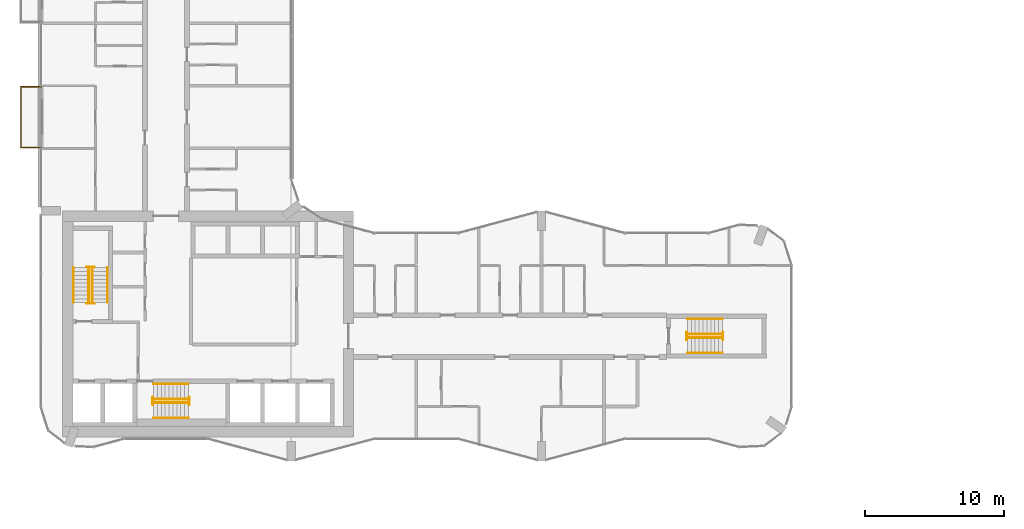
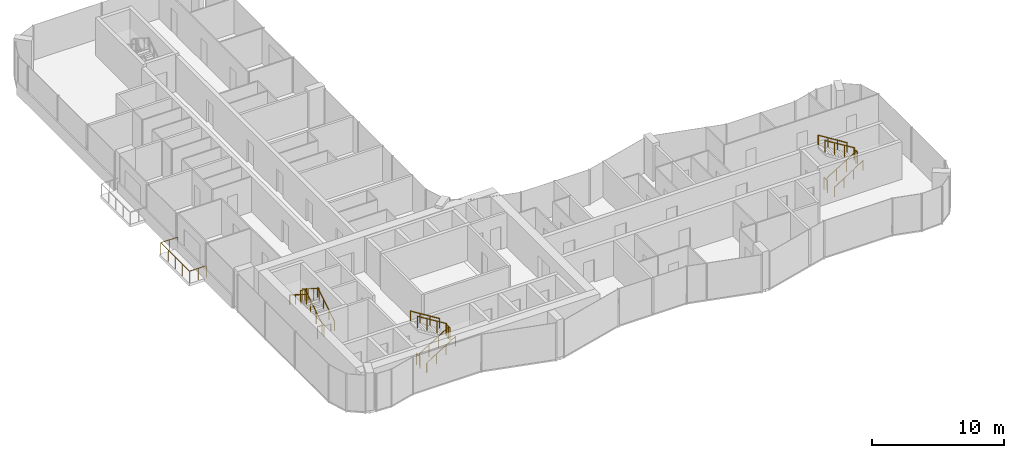
# One storey, part 22 of 24: 19 railings.
"""IFC4 building model written with IfcOpenShell, lengths in metres."""

from ifc_helpers import new_model, si_unit, direction, frame, origin, origin_2d, place, context, subcontext, project, spatial, circle, extrude, material, type_object, element, save


model = new_model("IFC4")

# Units and contexts
model_context = context("Model", 3, precision=1e-05, world=origin(), true_north=direction((0.0, 1.0)))
body_context = subcontext(model_context, "Body", "Model", "MODEL_VIEW")
ifc_project = project(units=[si_unit("LENGTHUNIT", "METRE"), si_unit("AREAUNIT", "SQUARE_METRE"), si_unit("VOLUMEUNIT", "CUBIC_METRE"), si_unit("PLANEANGLEUNIT", "RADIAN"), si_unit("MASSUNIT", "GRAM", prefix="KILO")], contexts=[model_context])

# Site, building, storey
site_placement = place(None, origin())
site = spatial("IfcSite", under=ifc_project, at=site_placement, CompositionType="ELEMENT")
building_placement = place(site_placement, origin())
building = spatial("IfcBuilding", under=site, at=building_placement, Name="Plateau Cross Towers", CompositionType="ELEMENT")
storey_placement = place(building_placement, frame((0.0, 0.0, 44.300048828125)))
storey = spatial("IfcBuildingStorey", under=building, at=storey_placement, Name="L10", CompositionType="ELEMENT", Elevation=44.300048828125)

# Railings
ifc_material_1 = material(Name="Stainless steel and toughened glass", Category="steel")
railing_type_1 = type_object("IfcRailingType", Name="Glass balustrade guard 1100", PredefinedType="GUARDRAIL", material=ifc_material_1)
railing_1_placement = place(storey_placement, frame((0.050048828125, 22.570068359375, 0.0)))
element("IfcRailing", 1, at=railing_1_placement, inside=storey, type_object=railing_type_1, Name="Guard guard1", PredefinedType="GUARDRAIL", context=body_context, shape_type="SweptSolid", body=[
    extrude(circle(Radius=0.02392578125, at=origin_2d()), frame((0.0, 0.0, 1.076171875), z_axis=(-1.0, 0.0, 0.0), x_axis=(0.0, -1.0, 0.0)), (0.0, 0.0, 1.0), 1.47998046875),
    extrude(circle(Radius=0.02392578125, at=origin_2d()), frame((-1.47998046875, 0.0, 1.076171875), z_axis=(0.0, 1.0, 0.0), x_axis=(-1.0, 0.0, 0.0)), (0.0, 0.0, 1.0), 4.35986328125),
    extrude(circle(Radius=0.02392578125, at=origin_2d()), frame((-1.47998046875, 4.35986328125, 1.076171875), z_axis=(1.0, 0.0, 0.0), x_axis=(0.0, 1.0, 0.0)), (0.0, 0.0, 1.0), 1.47998046875),
    extrude(circle(Radius=0.02099609375, at=origin_2d()), origin(), (0.0, 0.0, 1.0), 1.052001953125),
    extrude(circle(Radius=0.02099609375, at=origin_2d()), frame((-0.739990234375, 0.0, 0.0)), (0.0, 0.0, 1.0), 1.052001953125),
    extrude(circle(Radius=0.02099609375, at=origin_2d()), frame((-1.47998046875, 0.0, 0.0)), (0.0, 0.0, 1.0), 1.052001953125),
    extrude(circle(Radius=0.02099609375, at=origin_2d()), frame((-1.47998046875, 1.08984375, 0.0)), (0.0, 0.0, 1.0), 1.052001953125),
    extrude(circle(Radius=0.02099609375, at=origin_2d()), frame((-1.47998046875, 2.179931640625, 0.0)), (0.0, 0.0, 1.0), 1.052001953125),
    extrude(circle(Radius=0.02099609375, at=origin_2d()), frame((-1.47998046875, 3.27001953125, 0.0)), (0.0, 0.0, 1.0), 1.052001953125),
    extrude(circle(Radius=0.02099609375, at=origin_2d()), frame((-1.47998046875, 4.35986328125, 0.0)), (0.0, 0.0, 1.0), 1.052001953125),
    extrude(circle(Radius=0.02099609375, at=origin_2d()), frame((-0.739990234375, 4.35986328125, 0.0)), (0.0, 0.0, 1.0), 1.052001953125),
    extrude(circle(Radius=0.02099609375, at=origin_2d()), frame((0.0, 4.35986328125, 0.0)), (0.0, 0.0, 1.0), 1.052001953125),
])
railing_type_2 = type_object("IfcRailingType", Name="RL-GUARD-1100", PredefinedType="GUARDRAIL", material=ifc_material_1)
railing_2_placement = place(storey_placement, frame((3.699951171875, 11.39990234375, 0.175048828125)))
element("IfcRailing", 2, at=railing_2_placement, inside=storey, type_object=railing_type_2, Name="L10 ST-1 stair guard 1", PredefinedType="GUARDRAIL", context=body_context, shape_type="SweptSolid", body=[
    extrude(circle(Radius=0.02392578125, at=origin_2d()), frame((0.0, 0.0, 1.076171875), z_axis=(0.0, 0.848007534815, 0.529984170421), x_axis=(-1.0, 0.0, 0.0)), (0.0, 0.0, 1.0), 2.9716796875),
    extrude(circle(Radius=0.02099609375, at=origin_2d()), origin(), (0.0, 0.0, 1.0), 1.052001953125),
    extrude(circle(Radius=0.02099609375, at=origin_2d()), frame((0.0, 0.840087890625, 0.52490234375)), (0.0, 0.0, 1.0), 1.052001953125),
    extrude(circle(Radius=0.02099609375, at=origin_2d()), frame((0.0, 1.679931640625, 1.050048828125)), (0.0, 0.0, 1.0), 1.052001953125),
    extrude(circle(Radius=0.02099609375, at=origin_2d()), frame((0.0, 2.52001953125, 1.574951171875)), (0.0, 0.0, 1.0), 1.052001953125),
])
railing_3_placement = place(storey_placement, frame((3.85009765625, 13.969970703125, 1.75)))
element("IfcRailing", 3, at=railing_3_placement, inside=storey, type_object=railing_type_2, Name="L10 ST-1 stair guard 2", PredefinedType="GUARDRAIL", context=body_context, shape_type="SweptSolid", body=[
    extrude(circle(Radius=0.02392578125, at=origin_2d()), frame((0.0, 0.0, 1.076171875), z_axis=(-1.0, 0.0, 0.0), x_axis=(0.0, -1.0, 0.0)), (0.0, 0.0, 1.0), 0.550048828125),
    extrude(circle(Radius=0.02099609375, at=origin_2d()), origin(), (0.0, 0.0, 1.0), 1.052001953125),
    extrude(circle(Radius=0.02099609375, at=origin_2d()), frame((-0.550048828125, 0.0, 0.0)), (0.0, 0.0, 1.0), 1.052001953125),
])
railing_4_placement = place(storey_placement, frame((3.449951171875, 13.919921875, 1.925048828125)))
element("IfcRailing", 4, at=railing_4_placement, inside=storey, type_object=railing_type_2, Name="L10 ST-1 stair guard 3", PredefinedType="GUARDRAIL", context=body_context, shape_type="SweptSolid", body=[
    extrude(circle(Radius=0.02392578125, at=origin_2d()), frame((0.0, 0.0, 1.076171875), z_axis=(0.0, -0.852616386126, 0.522537365276), x_axis=(1.0, 0.0, 0.0)), (0.0, 0.0, 1.0), 3.01416015625),
    extrude(circle(Radius=0.02099609375, at=origin_2d()), origin(), (0.0, 0.0, 1.0), 1.052001953125),
    extrude(circle(Radius=0.02099609375, at=origin_2d()), frame((0.0, -0.856689453125, 0.52490234375)), (0.0, 0.0, 1.0), 1.052001953125),
    extrude(circle(Radius=0.02099609375, at=origin_2d()), frame((0.0, -1.713134765625, 1.050048828125)), (0.0, 0.0, 1.0), 1.052001953125),
    extrude(circle(Radius=0.02099609375, at=origin_2d()), frame((0.0, -2.56982421875, 1.574951171875)), (0.0, 0.0, 1.0), 1.052001953125),
])
railing_5_placement = place(storey_placement, frame((3.85009765625, 11.35009765625, 0.0)))
element("IfcRailing", 5, at=railing_5_placement, inside=storey, type_object=railing_type_2, Name="L10 ST-1 stair guard 4", PredefinedType="GUARDRAIL", context=body_context, shape_type="SweptSolid", body=[
    extrude(circle(Radius=0.02392578125, at=origin_2d()), frame((0.0, 0.0, 1.076171875), z_axis=(-1.0, 0.0, 0.0), x_axis=(0.0, -1.0, 0.0)), (0.0, 0.0, 1.0), 0.550048828125),
    extrude(circle(Radius=0.02099609375, at=origin_2d()), origin(), (0.0, 0.0, 1.0), 1.052001953125),
    extrude(circle(Radius=0.02099609375, at=origin_2d()), frame((-0.550048828125, 0.0, 0.0)), (0.0, 0.0, 1.0), 1.052001953125),
])
railing_6_placement = place(storey_placement, frame((8.10009765625, 4.199951171875, 0.175048828125)))
element("IfcRailing", 6, at=railing_6_placement, inside=storey, type_object=railing_type_2, Name="L10 ST-2 stair guard 1", PredefinedType="GUARDRAIL", context=body_context, shape_type="SweptSolid", body=[
    extrude(circle(Radius=0.02392578125, at=origin_2d()), frame((0.0, 0.0, 1.076171875), z_axis=(0.848007534815, 0.0, 0.529984170421), x_axis=(0.0, 1.0, 0.0)), (0.0, 0.0, 1.0), 2.9716796875),
    extrude(circle(Radius=0.02099609375, at=origin_2d()), origin(), (0.0, 0.0, 1.0), 1.052001953125),
    extrude(circle(Radius=0.02099609375, at=origin_2d()), frame((0.840087890625, 0.0, 0.52490234375)), (0.0, 0.0, 1.0), 1.052001953125),
    extrude(circle(Radius=0.02099609375, at=origin_2d()), frame((1.679931640625, 0.0, 1.050048828125)), (0.0, 0.0, 1.0), 1.052001953125),
    extrude(circle(Radius=0.02099609375, at=origin_2d()), frame((2.52001953125, 0.0, 1.574951171875)), (0.0, 0.0, 1.0), 1.052001953125),
])
railing_7_placement = place(storey_placement, frame((10.669921875, 4.050048828125, 1.75)))
element("IfcRailing", 7, at=railing_7_placement, inside=storey, type_object=railing_type_2, Name="L10 ST-2 stair guard 2", PredefinedType="GUARDRAIL", context=body_context, shape_type="SweptSolid", body=[
    extrude(circle(Radius=0.02392578125, at=origin_2d()), frame((0.0, 0.0, 1.076171875), z_axis=(0.0, 1.0, 0.0), x_axis=(-1.0, 0.0, 0.0)), (0.0, 0.0, 1.0), 0.550048828125),
    extrude(circle(Radius=0.02099609375, at=origin_2d()), origin(), (0.0, 0.0, 1.0), 1.052001953125),
    extrude(circle(Radius=0.02099609375, at=origin_2d()), frame((0.0, 0.550048828125, 0.0)), (0.0, 0.0, 1.0), 1.052001953125),
])
railing_8_placement = place(storey_placement, frame((10.6201171875, 4.449951171875, 1.925048828125)))
element("IfcRailing", 8, at=railing_8_placement, inside=storey, type_object=railing_type_2, Name="L10 ST-2 stair guard 3", PredefinedType="GUARDRAIL", context=body_context, shape_type="SweptSolid", body=[
    extrude(circle(Radius=0.02392578125, at=origin_2d()), frame((0.0, 0.0, 1.076171875), z_axis=(-0.852638500773, 0.0, 0.522501279423), x_axis=(0.0, -1.0, 0.0)), (0.0, 0.0, 1.0), 3.01416015625),
    extrude(circle(Radius=0.02099609375, at=origin_2d()), origin(), (0.0, 0.0, 1.0), 1.052001953125),
    extrude(circle(Radius=0.02099609375, at=origin_2d()), frame((-0.856689453125, 0.0, 0.52490234375)), (0.0, 0.0, 1.0), 1.052001953125),
    extrude(circle(Radius=0.02099609375, at=origin_2d()), frame((-1.71337890625, 0.0, 1.050048828125)), (0.0, 0.0, 1.0), 1.052001953125),
    extrude(circle(Radius=0.02099609375, at=origin_2d()), frame((-2.570068359375, 0.0, 1.574951171875)), (0.0, 0.0, 1.0), 1.052001953125),
])
railing_9_placement = place(storey_placement, frame((8.050048828125, 4.050048828125, 0.0)))
element("IfcRailing", 9, at=railing_9_placement, inside=storey, type_object=railing_type_2, Name="L10 ST-2 stair guard 4", PredefinedType="GUARDRAIL", context=body_context, shape_type="SweptSolid", body=[
    extrude(circle(Radius=0.02392578125, at=origin_2d()), frame((0.0, 0.0, 1.076171875), z_axis=(0.0, 1.0, 0.0), x_axis=(-1.0, 0.0, 0.0)), (0.0, 0.0, 1.0), 0.550048828125),
    extrude(circle(Radius=0.02099609375, at=origin_2d()), origin(), (0.0, 0.0, 1.0), 1.052001953125),
    extrude(circle(Radius=0.02099609375, at=origin_2d()), frame((0.0, 0.550048828125, 0.0)), (0.0, 0.0, 1.0), 1.052001953125),
])
railing_10_placement = place(storey_placement, frame((46.5, 8.875, 0.175048828125)))
element("IfcRailing", 10, at=railing_10_placement, inside=storey, type_object=railing_type_2, Name="L10 ES-E stair guard 1", PredefinedType="GUARDRAIL", context=body_context, shape_type="SweptSolid", body=[
    extrude(circle(Radius=0.02392578125, at=origin_2d()), frame((0.0, 0.0, 1.076171875), z_axis=(0.848007534815, 0.0, 0.529984170421), x_axis=(0.0, 1.0, 0.0)), (0.0, 0.0, 1.0), 2.9716796875),
    extrude(circle(Radius=0.02099609375, at=origin_2d()), origin(), (0.0, 0.0, 1.0), 1.052001953125),
    extrude(circle(Radius=0.02099609375, at=origin_2d()), frame((0.840087890625, 0.0, 0.52490234375)), (0.0, 0.0, 1.0), 1.052001953125),
    extrude(circle(Radius=0.02099609375, at=origin_2d()), frame((1.679931640625, 0.0, 1.050048828125)), (0.0, 0.0, 1.0), 1.052001953125),
    extrude(circle(Radius=0.02099609375, at=origin_2d()), frame((2.52001953125, 0.0, 1.574951171875)), (0.0, 0.0, 1.0), 1.052001953125),
])
railing_11_placement = place(storey_placement, frame((49.070068359375, 8.72509765625, 1.75)))
element("IfcRailing", 11, at=railing_11_placement, inside=storey, type_object=railing_type_2, Name="L10 ES-E stair guard 2", PredefinedType="GUARDRAIL", context=body_context, shape_type="SweptSolid", body=[
    extrude(circle(Radius=0.02392578125, at=origin_2d()), frame((0.0, 0.0, 1.076171875), z_axis=(0.0, 1.0, 0.0), x_axis=(-1.0, 0.0, 0.0)), (0.0, 0.0, 1.0), 0.5498046875),
    extrude(circle(Radius=0.02099609375, at=origin_2d()), origin(), (0.0, 0.0, 1.0), 1.052001953125),
    extrude(circle(Radius=0.02099609375, at=origin_2d()), frame((0.0, 0.5498046875, 0.0)), (0.0, 0.0, 1.0), 1.052001953125),
])
railing_12_placement = place(storey_placement, frame((49.02001953125, 9.125, 1.925048828125)))
element("IfcRailing", 12, at=railing_12_placement, inside=storey, type_object=railing_type_2, Name="L10 ES-E stair guard 3", PredefinedType="GUARDRAIL", context=body_context, shape_type="SweptSolid", body=[
    extrude(circle(Radius=0.02392578125, at=origin_2d()), frame((0.0, 0.0, 1.076171875), z_axis=(-0.852638500773, 0.0, 0.522501279423), x_axis=(0.0, -1.0, 0.0)), (0.0, 0.0, 1.0), 3.01416015625),
    extrude(circle(Radius=0.02099609375, at=origin_2d()), origin(), (0.0, 0.0, 1.0), 1.052001953125),
    extrude(circle(Radius=0.02099609375, at=origin_2d()), frame((-0.856689453125, 0.0, 0.52490234375)), (0.0, 0.0, 1.0), 1.052001953125),
    extrude(circle(Radius=0.02099609375, at=origin_2d()), frame((-1.71337890625, 0.0, 1.050048828125)), (0.0, 0.0, 1.0), 1.052001953125),
    extrude(circle(Radius=0.02099609375, at=origin_2d()), frame((-2.570068359375, 0.0, 1.574951171875)), (0.0, 0.0, 1.0), 1.052001953125),
])
railing_13_placement = place(storey_placement, frame((46.449951171875, 8.72509765625, 0.0)))
element("IfcRailing", 13, at=railing_13_placement, inside=storey, type_object=railing_type_2, Name="L10 ES-E stair guard 4", PredefinedType="GUARDRAIL", context=body_context, shape_type="SweptSolid", body=[
    extrude(circle(Radius=0.02392578125, at=origin_2d()), frame((0.0, 0.0, 1.076171875), z_axis=(0.0, 1.0, 0.0), x_axis=(-1.0, 0.0, 0.0)), (0.0, 0.0, 1.0), 0.5498046875),
    extrude(circle(Radius=0.02099609375, at=origin_2d()), origin(), (0.0, 0.0, 1.0), 1.052001953125),
    extrude(circle(Radius=0.02099609375, at=origin_2d()), frame((0.0, 0.5498046875, 0.0)), (0.0, 0.0, 1.0), 1.052001953125),
])
ifc_material_2 = material(Name="Black anodised aluminium", Category="aluminium")
railing_type_3 = type_object("IfcRailingType", Name="RL-HANDRAIL-900", PredefinedType="HANDRAIL", material=ifc_material_2)
railing_14_placement = place(storey_placement, frame((4.800048828125, 11.39990234375, 0.175048828125)))
element("IfcRailing", 14, at=railing_14_placement, inside=storey, type_object=railing_type_3, Name="L10 ST-1 stair handrail 1", PredefinedType="HANDRAIL", context=body_context, shape_type="SweptSolid", body=[
    extrude(circle(Radius=0.02392578125, at=origin_2d()), frame((0.0, 0.0, 0.8759765625), z_axis=(0.0, 0.848007534815, 0.529984170421), x_axis=(-1.0, 0.0, 0.0)), (0.0, 0.0, 1.0), 2.9716796875),
    extrude(circle(Radius=0.02099609375, at=origin_2d()), origin(), (0.0, 0.0, 1.0), 0.851806640625),
    extrude(circle(Radius=0.02099609375, at=origin_2d()), frame((0.0, 0.840087890625, 0.52490234375)), (0.0, 0.0, 1.0), 0.851806640625),
    extrude(circle(Radius=0.02099609375, at=origin_2d()), frame((0.0, 1.679931640625, 1.050048828125)), (0.0, 0.0, 1.0), 0.851806640625),
    extrude(circle(Radius=0.02099609375, at=origin_2d()), frame((0.0, 2.52001953125, 1.574951171875)), (0.0, 0.0, 1.0), 0.851806640625),
])
railing_15_placement = place(storey_placement, frame((2.35009765625, 13.919921875, 1.925048828125)))
element("IfcRailing", 15, at=railing_15_placement, inside=storey, type_object=railing_type_3, Name="L10 ST-1 stair handrail 2", PredefinedType="HANDRAIL", context=body_context, shape_type="SweptSolid", body=[
    extrude(circle(Radius=0.02392578125, at=origin_2d()), frame((0.0, 0.0, 0.8759765625), z_axis=(0.0, -0.848007534815, 0.529984170421), x_axis=(1.0, 0.0, 0.0)), (0.0, 0.0, 1.0), 2.9716796875),
    extrude(circle(Radius=0.02099609375, at=origin_2d()), origin(), (0.0, 0.0, 1.0), 0.851806640625),
    extrude(circle(Radius=0.02099609375, at=origin_2d()), frame((0.0, -0.840087890625, 0.52490234375)), (0.0, 0.0, 1.0), 0.851806640625),
    extrude(circle(Radius=0.02099609375, at=origin_2d()), frame((0.0, -1.679931640625, 1.050048828125)), (0.0, 0.0, 1.0), 0.851806640625),
    extrude(circle(Radius=0.02099609375, at=origin_2d()), frame((0.0, -2.52001953125, 1.574951171875)), (0.0, 0.0, 1.0), 0.851806640625),
])
railing_16_placement = place(storey_placement, frame((8.10009765625, 3.10009765625, 0.175048828125)))
element("IfcRailing", 16, at=railing_16_placement, inside=storey, type_object=railing_type_3, Name="L10 ST-2 stair handrail 1", PredefinedType="HANDRAIL", context=body_context, shape_type="SweptSolid", body=[
    extrude(circle(Radius=0.02392578125, at=origin_2d()), frame((0.0, 0.0, 0.8759765625), z_axis=(0.848007534815, 0.0, 0.529984170421), x_axis=(0.0, 1.0, 0.0)), (0.0, 0.0, 1.0), 2.9716796875),
    extrude(circle(Radius=0.02099609375, at=origin_2d()), origin(), (0.0, 0.0, 1.0), 0.851806640625),
    extrude(circle(Radius=0.02099609375, at=origin_2d()), frame((0.840087890625, 0.0, 0.52490234375)), (0.0, 0.0, 1.0), 0.851806640625),
    extrude(circle(Radius=0.02099609375, at=origin_2d()), frame((1.679931640625, 0.0, 1.050048828125)), (0.0, 0.0, 1.0), 0.851806640625),
    extrude(circle(Radius=0.02099609375, at=origin_2d()), frame((2.52001953125, 0.0, 1.574951171875)), (0.0, 0.0, 1.0), 0.851806640625),
])
railing_17_placement = place(storey_placement, frame((10.6201171875, 5.550048828125, 1.925048828125)))
element("IfcRailing", 17, at=railing_17_placement, inside=storey, type_object=railing_type_3, Name="L10 ST-2 stair handrail 2", PredefinedType="HANDRAIL", context=body_context, shape_type="SweptSolid", body=[
    extrude(circle(Radius=0.02392578125, at=origin_2d()), frame((0.0, 0.0, 0.8759765625), z_axis=(-0.848007534815, 0.0, 0.529984170421), x_axis=(0.0, -1.0, 0.0)), (0.0, 0.0, 1.0), 2.9716796875),
    extrude(circle(Radius=0.02099609375, at=origin_2d()), origin(), (0.0, 0.0, 1.0), 0.851806640625),
    extrude(circle(Radius=0.02099609375, at=origin_2d()), frame((-0.840087890625, 0.0, 0.52490234375)), (0.0, 0.0, 1.0), 0.851806640625),
    extrude(circle(Radius=0.02099609375, at=origin_2d()), frame((-1.679931640625, 0.0, 1.050048828125)), (0.0, 0.0, 1.0), 0.851806640625),
    extrude(circle(Radius=0.02099609375, at=origin_2d()), frame((-2.52001953125, 0.0, 1.574951171875)), (0.0, 0.0, 1.0), 0.851806640625),
])
railing_18_placement = place(storey_placement, frame((46.5, 7.77490234375, 0.175048828125)))
element("IfcRailing", 18, at=railing_18_placement, inside=storey, type_object=railing_type_3, Name="L10 ES-E stair handrail 1", PredefinedType="HANDRAIL", context=body_context, shape_type="SweptSolid", body=[
    extrude(circle(Radius=0.02392578125, at=origin_2d()), frame((0.0, 0.0, 0.8759765625), z_axis=(0.848007534815, 0.0, 0.529984170421), x_axis=(0.0, 1.0, 0.0)), (0.0, 0.0, 1.0), 2.9716796875),
    extrude(circle(Radius=0.02099609375, at=origin_2d()), origin(), (0.0, 0.0, 1.0), 0.851806640625),
    extrude(circle(Radius=0.02099609375, at=origin_2d()), frame((0.840087890625, 0.0, 0.52490234375)), (0.0, 0.0, 1.0), 0.851806640625),
    extrude(circle(Radius=0.02099609375, at=origin_2d()), frame((1.679931640625, 0.0, 1.050048828125)), (0.0, 0.0, 1.0), 0.851806640625),
    extrude(circle(Radius=0.02099609375, at=origin_2d()), frame((2.52001953125, 0.0, 1.574951171875)), (0.0, 0.0, 1.0), 0.851806640625),
])
railing_19_placement = place(storey_placement, frame((49.02001953125, 10.22509765625, 1.925048828125)))
element("IfcRailing", 19, at=railing_19_placement, inside=storey, type_object=railing_type_3, Name="L10 ES-E stair handrail 2", PredefinedType="HANDRAIL", context=body_context, shape_type="SweptSolid", body=[
    extrude(circle(Radius=0.02392578125, at=origin_2d()), frame((0.0, 0.0, 0.8759765625), z_axis=(-0.848007534815, 0.0, 0.529984170421), x_axis=(0.0, -1.0, 0.0)), (0.0, 0.0, 1.0), 2.9716796875),
    extrude(circle(Radius=0.02099609375, at=origin_2d()), origin(), (0.0, 0.0, 1.0), 0.851806640625),
    extrude(circle(Radius=0.02099609375, at=origin_2d()), frame((-0.840087890625, 0.0, 0.52490234375)), (0.0, 0.0, 1.0), 0.851806640625),
    extrude(circle(Radius=0.02099609375, at=origin_2d()), frame((-1.679931640625, 0.0, 1.050048828125)), (0.0, 0.0, 1.0), 0.851806640625),
    extrude(circle(Radius=0.02099609375, at=origin_2d()), frame((-2.52001953125, 0.0, 1.574951171875)), (0.0, 0.0, 1.0), 0.851806640625),
])

save(model, "model.ifc")
